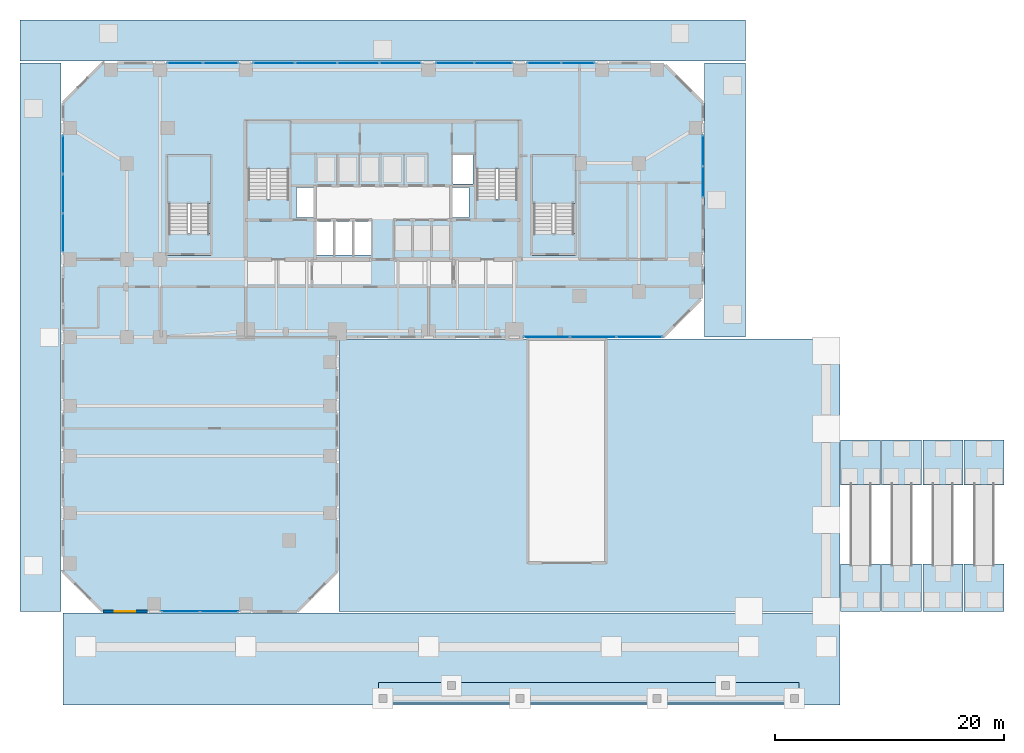
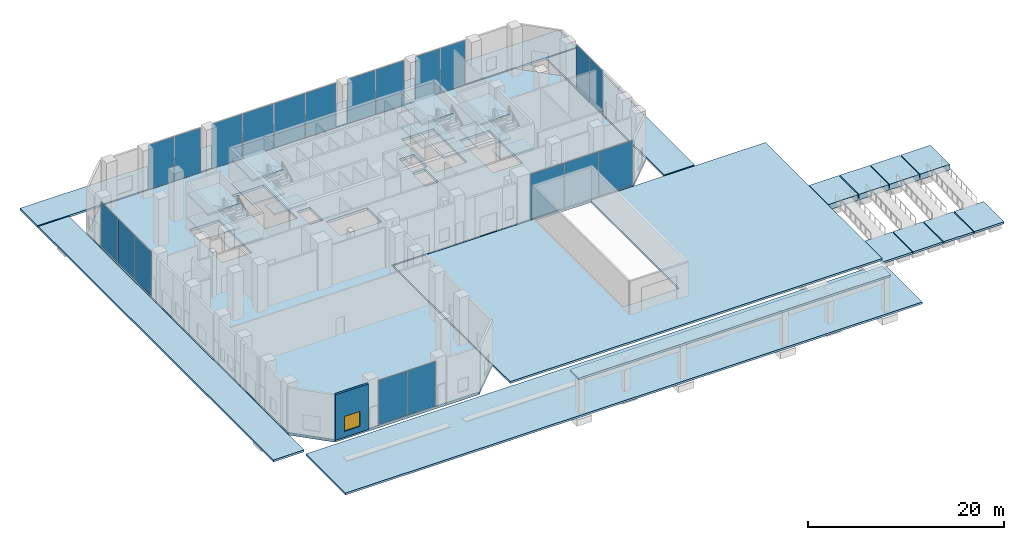
# One storey, part 16 of 26: 27 slabs, 20 plates, 1 wall, 1 window, 1 opening, 12 elements without a shape of their own.
"""IFC4 building model written with IfcOpenShell, lengths in metres."""

from ifc_helpers import new_model, si_unit, direction, frame, frame_2d, origin, origin_2d, place, context, subcontext, project, spatial, polyline, rectangle, outline, extrude, material, layer, layer_set, type_object, element, fill, aggregate, save


model = new_model("IFC4")

# Units and contexts
model_context = context("Model", 3, precision=1e-05, world=origin(), true_north=direction((0.0, 1.0)))
body_context = subcontext(model_context, "Body", "Model", "MODEL_VIEW")
ifc_project = project(units=[si_unit("LENGTHUNIT", "METRE"), si_unit("AREAUNIT", "SQUARE_METRE"), si_unit("VOLUMEUNIT", "CUBIC_METRE"), si_unit("PLANEANGLEUNIT", "RADIAN"), si_unit("MASSUNIT", "GRAM", prefix="KILO")], contexts=[model_context])

# Site, building, storey
site_placement = place(None, origin())
site = spatial("IfcSite", under=ifc_project, at=site_placement, CompositionType="ELEMENT")
building_placement = place(site_placement, origin())
building = spatial("IfcBuilding", under=site, at=building_placement, Name="Catumbela Crestline Tower", CompositionType="ELEMENT")
storey_placement = place(building_placement, origin())
storey = spatial("IfcBuildingStorey", under=building, at=storey_placement, Name="L00", CompositionType="ELEMENT", Elevation=0.0)

# Curtain wall, plates
ifc_material_1 = material(Name="Aluminium alloy AW-6060-T66", Category="aluminium")
ifc_layer_1 = layer(ifc_material_1, 0.18, Name="Aluminium alloy AW-6060-T66")
ifc_layer_set_1 = layer_set([ifc_layer_1], Name="Aluminium alloy AW-6060-T66")
curtain_wall_type = type_object("IfcCurtainWallType", Name="CWS-POD", PredefinedType="USERDEFINED", material=ifc_layer_set_1)
curtain_wall_1_placement = place(storey_placement, origin())
curtain_wall_1 = element("IfcCurtainWall", 1, at=curtain_wall_1_placement, inside=storey, type_object=curtain_wall_type, Name="L00 Stick Curtain Wall CW-L00-E0S2", ObjectType="STICK", PredefinedType="USERDEFINED")
ifc_material_2 = material(Name="Low-E laminated solar-control double glazing", Category="glass")
ifc_layer_2 = layer(ifc_material_2, 0.032, Name="Low-E laminated solar-control double glazing")
ifc_layer_set_2 = layer_set([ifc_layer_2], Name="Low-E laminated solar-control double glazing")
plate_type = type_object("IfcPlateType", Name="PNL-GLZ-PD", PredefinedType="CURTAIN_PANEL", material=ifc_layer_set_2)
plate_1_placement = place(storey_placement, frame((10.3162, 0.0, 0.06), z_axis=(0.0, 0.0, 1.0), x_axis=(1.0, 0.0, 0.0)))
plate_1 = element("IfcPlate", 2, at=plate_1_placement, type_object=plate_type, Name="CWS-POD panel 1.1", PredefinedType="CURTAIN_PANEL", context=body_context, shape_type="SweptSolid", body=[
    extrude(rectangle(XDim=3.3025, YDim=0.034, at=origin_2d()), origin(), (0.0, 0.0, 1.0), 5.55),
])
plate_2_placement = place(storey_placement, frame((13.6838, 0.0, 0.06), z_axis=(0.0, 0.0, 1.0), x_axis=(1.0, 0.0, 0.0)))
plate_2 = element("IfcPlate", 3, at=plate_2_placement, type_object=plate_type, Name="CWS-POD panel 2.1", PredefinedType="CURTAIN_PANEL", context=body_context, shape_type="SweptSolid", body=[
    extrude(rectangle(XDim=3.3025, YDim=0.034, at=origin_2d()), origin(), (0.0, 0.0, 1.0), 5.55),
])
aggregate(curtain_wall_1, [plate_1, plate_2])

curtain_wall_2_placement = place(storey_placement, origin())
curtain_wall_2 = element("IfcCurtainWall", 4, at=curtain_wall_2_placement, inside=storey, type_object=curtain_wall_type, Name="L00 Stick Curtain Wall CW-L00-E3S5", ObjectType="STICK", PredefinedType="USERDEFINED")
plate_3_placement = place(storey_placement, frame((42.3496, 24.0, 0.06), z_axis=(0.0, 0.0, 1.0), x_axis=(1.0, 0.0, 0.0)))
plate_3 = element("IfcPlate", 5, at=plate_3_placement, type_object=plate_type, Name="CWS-POD panel 1.1", PredefinedType="CURTAIN_PANEL", context=body_context, shape_type="SweptSolid", body=[
    extrude(rectangle(XDim=3.9692, YDim=0.034, at=origin_2d()), origin(), (0.0, 0.0, 1.0), 5.55),
])
plate_4_placement = place(storey_placement, frame((46.4, 24.0, 0.06), z_axis=(0.0, 0.0, 1.0), x_axis=(1.0, 0.0, 0.0)))
plate_4 = element("IfcPlate", 6, at=plate_4_placement, type_object=plate_type, Name="CWS-POD panel 2.1", PredefinedType="CURTAIN_PANEL", context=body_context, shape_type="SweptSolid", body=[
    extrude(rectangle(XDim=4.0017, YDim=0.034, at=origin_2d()), origin(), (0.0, 0.0, 1.0), 5.55),
])
plate_5_placement = place(storey_placement, frame((50.4504, 24.0, 0.06), z_axis=(0.0, 0.0, 1.0), x_axis=(1.0, 0.0, 0.0)))
plate_5 = element("IfcPlate", 7, at=plate_5_placement, type_object=plate_type, Name="CWS-POD panel 3.1", PredefinedType="CURTAIN_PANEL", context=body_context, shape_type="SweptSolid", body=[
    extrude(rectangle(XDim=3.9692, YDim=0.034, at=origin_2d()), origin(), (0.0, 0.0, 1.0), 5.55),
])
aggregate(curtain_wall_2, [plate_3, plate_4, plate_5])

curtain_wall_3_placement = place(storey_placement, origin())
curtain_wall_3 = element("IfcCurtainWall", 8, at=curtain_wall_3_placement, inside=storey, type_object=curtain_wall_type, Name="L00 Stick Curtain Wall CW-L00-E5S3", ObjectType="STICK", PredefinedType="USERDEFINED")
plate_6_placement = place(storey_placement, frame((56.0, 37.5912, 0.06), z_axis=(0.0, 0.0, 1.0), x_axis=(0.0, 1.0, 0.0)))
plate_6 = element("IfcPlate", 9, at=plate_6_placement, type_object=plate_type, Name="CWS-POD panel 1.1", PredefinedType="CURTAIN_PANEL", context=body_context, shape_type="SweptSolid", body=[
    extrude(rectangle(XDim=2.6525, YDim=0.034, at=origin_2d()), origin(), (0.0, 0.0, 1.0), 5.55),
])
plate_7_placement = place(storey_placement, frame((56.0, 40.3088, 0.06), z_axis=(0.0, 0.0, 1.0), x_axis=(0.0, 1.0, 0.0)))
plate_7 = element("IfcPlate", 10, at=plate_7_placement, type_object=plate_type, Name="CWS-POD panel 2.1", PredefinedType="CURTAIN_PANEL", context=body_context, shape_type="SweptSolid", body=[
    extrude(rectangle(XDim=2.6525, YDim=0.034, at=origin_2d()), origin(), (0.0, 0.0, 1.0), 5.55),
])
aggregate(curtain_wall_3, [plate_6, plate_7])

curtain_wall_4_placement = place(storey_placement, origin())
curtain_wall_4 = element("IfcCurtainWall", 11, at=curtain_wall_4_placement, inside=storey, type_object=curtain_wall_type, Name="L00 Stick Curtain Wall CW-L00-E7S2", ObjectType="STICK", PredefinedType="USERDEFINED")
plate_8_placement = place(storey_placement, frame((45.0838, 48.0, 0.06), z_axis=(0.0, 0.0, 1.0), x_axis=(-1.0, 0.0, 0.0)))
plate_8 = element("IfcPlate", 12, at=plate_8_placement, type_object=plate_type, Name="CWS-POD panel 1.1", PredefinedType="CURTAIN_PANEL", context=body_context, shape_type="SweptSolid", body=[
    extrude(rectangle(XDim=2.9025, YDim=0.034, at=origin_2d()), origin(), (0.0, 0.0, 1.0), 5.55),
])
plate_9_placement = place(storey_placement, frame((42.1162, 48.0, 0.06), z_axis=(0.0, 0.0, 1.0), x_axis=(-1.0, 0.0, 0.0)))
plate_9 = element("IfcPlate", 13, at=plate_9_placement, type_object=plate_type, Name="CWS-POD panel 2.1", PredefinedType="CURTAIN_PANEL", context=body_context, shape_type="SweptSolid", body=[
    extrude(rectangle(XDim=2.9025, YDim=0.034, at=origin_2d()), origin(), (0.0, 0.0, 1.0), 5.55),
])
aggregate(curtain_wall_4, [plate_8, plate_9])

curtain_wall_5_placement = place(storey_placement, origin())
curtain_wall_5 = element("IfcCurtainWall", 14, at=curtain_wall_5_placement, inside=storey, type_object=curtain_wall_type, Name="L00 Stick Curtain Wall CW-L00-E7S3", ObjectType="STICK", PredefinedType="USERDEFINED")
plate_10_placement = place(storey_placement, frame((37.6838, 48.0, 0.06), z_axis=(0.0, 0.0, 1.0), x_axis=(-1.0, 0.0, 0.0)))
plate_10 = element("IfcPlate", 15, at=plate_10_placement, type_object=plate_type, Name="CWS-POD panel 1.1", PredefinedType="CURTAIN_PANEL", context=body_context, shape_type="SweptSolid", body=[
    extrude(rectangle(XDim=3.3025, YDim=0.034, at=origin_2d()), origin(), (0.0, 0.0, 1.0), 5.55),
])
plate_11_placement = place(storey_placement, frame((34.3162, 48.0, 0.06), z_axis=(0.0, 0.0, 1.0), x_axis=(-1.0, 0.0, 0.0)))
plate_11 = element("IfcPlate", 16, at=plate_11_placement, type_object=plate_type, Name="CWS-POD panel 2.1", PredefinedType="CURTAIN_PANEL", context=body_context, shape_type="SweptSolid", body=[
    extrude(rectangle(XDim=3.3025, YDim=0.034, at=origin_2d()), origin(), (0.0, 0.0, 1.0), 5.55),
])
aggregate(curtain_wall_5, [plate_10, plate_11])

curtain_wall_6_placement = place(storey_placement, origin())
curtain_wall_6 = element("IfcCurtainWall", 17, at=curtain_wall_6_placement, inside=storey, type_object=curtain_wall_type, Name="L00 Stick Curtain Wall CW-L00-E7S4", ObjectType="STICK", PredefinedType="USERDEFINED")
plate_12_placement = place(storey_placement, frame((29.5338, 48.0, 0.06), z_axis=(0.0, 0.0, 1.0), x_axis=(-1.0, 0.0, 0.0)))
plate_12 = element("IfcPlate", 18, at=plate_12_placement, type_object=plate_type, Name="CWS-POD panel 1.1", PredefinedType="CURTAIN_PANEL", context=body_context, shape_type="SweptSolid", body=[
    extrude(rectangle(XDim=3.6025, YDim=0.034, at=origin_2d()), origin(), (0.0, 0.0, 1.0), 5.55),
])
plate_13_placement = place(storey_placement, frame((25.85, 48.0, 0.06), z_axis=(0.0, 0.0, 1.0), x_axis=(-1.0, 0.0, 0.0)))
plate_13 = element("IfcPlate", 19, at=plate_13_placement, type_object=plate_type, Name="CWS-POD panel 2.1", PredefinedType="CURTAIN_PANEL", context=body_context, shape_type="SweptSolid", body=[
    extrude(rectangle(XDim=3.635, YDim=0.034, at=origin_2d()), origin(), (0.0, 0.0, 1.0), 5.55),
])
plate_14_placement = place(storey_placement, frame((22.15, 48.0, 0.06), z_axis=(0.0, 0.0, 1.0), x_axis=(-1.0, 0.0, 0.0)))
plate_14 = element("IfcPlate", 20, at=plate_14_placement, type_object=plate_type, Name="CWS-POD panel 3.1", PredefinedType="CURTAIN_PANEL", context=body_context, shape_type="SweptSolid", body=[
    extrude(rectangle(XDim=3.635, YDim=0.034, at=origin_2d()), origin(), (0.0, 0.0, 1.0), 5.55),
])
plate_15_placement = place(storey_placement, frame((18.4662, 48.0, 0.06), z_axis=(0.0, 0.0, 1.0), x_axis=(-1.0, 0.0, 0.0)))
plate_15 = element("IfcPlate", 21, at=plate_15_placement, type_object=plate_type, Name="CWS-POD panel 4.1", PredefinedType="CURTAIN_PANEL", context=body_context, shape_type="SweptSolid", body=[
    extrude(rectangle(XDim=3.6025, YDim=0.034, at=origin_2d()), origin(), (0.0, 0.0, 1.0), 5.55),
])
aggregate(curtain_wall_6, [plate_12, plate_13, plate_14, plate_15])

curtain_wall_7_placement = place(storey_placement, origin())
curtain_wall_7 = element("IfcCurtainWall", 22, at=curtain_wall_7_placement, inside=storey, type_object=curtain_wall_type, Name="L00 Stick Curtain Wall CW-L00-E7S5", ObjectType="STICK", PredefinedType="USERDEFINED")
plate_16_placement = place(storey_placement, frame((13.8088, 48.0, 0.06), z_axis=(0.0, 0.0, 1.0), x_axis=(-1.0, 0.0, 0.0)))
plate_16 = element("IfcPlate", 23, at=plate_16_placement, type_object=plate_type, Name="CWS-POD panel 1.1", PredefinedType="CURTAIN_PANEL", context=body_context, shape_type="SweptSolid", body=[
    extrude(rectangle(XDim=3.0525, YDim=0.034, at=origin_2d()), origin(), (0.0, 0.0, 1.0), 5.55),
])
plate_17_placement = place(storey_placement, frame((10.6912, 48.0, 0.06), z_axis=(0.0, 0.0, 1.0), x_axis=(-1.0, 0.0, 0.0)))
plate_17 = element("IfcPlate", 24, at=plate_17_placement, type_object=plate_type, Name="CWS-POD panel 2.1", PredefinedType="CURTAIN_PANEL", context=body_context, shape_type="SweptSolid", body=[
    extrude(rectangle(XDim=3.0525, YDim=0.034, at=origin_2d()), origin(), (0.0, 0.0, 1.0), 5.55),
])
aggregate(curtain_wall_7, [plate_16, plate_17])

curtain_wall_8_placement = place(storey_placement, origin())
curtain_wall_8 = element("IfcCurtainWall", 25, at=curtain_wall_8_placement, inside=storey, type_object=curtain_wall_type, Name="L00 Stick Curtain Wall CW-L00-E9S2", ObjectType="STICK", PredefinedType="USERDEFINED")
plate_18_placement = place(storey_placement, frame((0.0, 39.9671, 0.06), z_axis=(0.0, 0.0, 1.0), x_axis=(0.0, -1.0, 0.0)))
plate_18 = element("IfcPlate", 26, at=plate_18_placement, type_object=plate_type, Name="CWS-POD panel 1.1", PredefinedType="CURTAIN_PANEL", context=body_context, shape_type="SweptSolid", body=[
    extrude(rectangle(XDim=3.3358, YDim=0.034, at=origin_2d()), origin(), (0.0, 0.0, 1.0), 5.55),
])
plate_19_placement = place(storey_placement, frame((0.0, 36.55, 0.06), z_axis=(0.0, 0.0, 1.0), x_axis=(0.0, -1.0, 0.0)))
plate_19 = element("IfcPlate", 27, at=plate_19_placement, type_object=plate_type, Name="CWS-POD panel 2.1", PredefinedType="CURTAIN_PANEL", context=body_context, shape_type="SweptSolid", body=[
    extrude(rectangle(XDim=3.3683, YDim=0.034, at=origin_2d()), origin(), (0.0, 0.0, 1.0), 5.55),
])
plate_20_placement = place(storey_placement, frame((0.0, 33.1329, 0.06), z_axis=(0.0, 0.0, 1.0), x_axis=(0.0, -1.0, 0.0)))
plate_20 = element("IfcPlate", 28, at=plate_20_placement, type_object=plate_type, Name="CWS-POD panel 3.1", PredefinedType="CURTAIN_PANEL", context=body_context, shape_type="SweptSolid", body=[
    extrude(rectangle(XDim=3.3358, YDim=0.034, at=origin_2d()), origin(), (0.0, 0.0, 1.0), 5.55),
])
aggregate(curtain_wall_8, [plate_18, plate_19, plate_20])

# Slab
ifc_material_3 = material(Name="Concrete C45/55", Category="concrete")
ifc_layer_3 = layer(ifc_material_3, 0.28, Name="Concrete C45/55")
ifc_layer_set_3 = layer_set([ifc_layer_3], Name="Concrete C45/55")
slab_type_1 = type_object("IfcSlabType", Name="SR-280C", PredefinedType="ROOF", material=ifc_layer_set_3)
slab_1_placement = place(storey_placement, frame((0.0, 0.0, 3.8)))
element("IfcSlab", 29, at=slab_1_placement, inside=storey, type_object=slab_type_1, Name="L00 Waterfront Arrival Canopy Roof Slab", PredefinedType="ROOF", context=body_context, shape_type="SweptSolid", body=[
    extrude(outline(polyline([(27.6, -8.0), (64.4, -8.0), (64.4, -6.2), (27.6, -6.2), (27.6, -8.0)])), origin(), (0.0, 0.0, 1.0), 0.28),
])

# Stair, slabs
stair_type = type_object("IfcStairType", Name="ST-DLG", PredefinedType="HALF_TURN_STAIR", material=ifc_material_3)
stair_1_placement = place(storey_placement, origin())
stair_1 = element("IfcStair", 30, at=stair_1_placement, inside=storey, type_object=stair_type, Name="L00 West Core Pressurised Exit Stair ST-01", PredefinedType="HALF_TURN_STAIR")
ifc_layer_4 = layer(ifc_material_3, 0.2, Name="Concrete C45/55")
ifc_layer_set_4 = layer_set([ifc_layer_4], Name="Concrete C45/55")
slab_type_2 = type_object("IfcSlabType", Name="SL-LND", PredefinedType="LANDING", material=ifc_layer_set_4)
slab_2_placement = place(storey_placement, frame((0.0, 0.0, 1.3)))
slab_2 = element("IfcSlab", 31, at=slab_2_placement, type_object=slab_type_2, Name="ST-01 landing 1", PredefinedType="LANDING", context=body_context, shape_type="SweptSolid", body=[
    extrude(outline(polyline([(19.91, 38.71), (19.91, 42.96), (16.09, 42.96), (16.09, 38.71), (19.91, 38.71)])), origin(), (0.0, 0.0, 1.0), 0.2),
])
slab_3_placement = place(storey_placement, frame((0.0, 0.0, 2.8)))
slab_3 = element("IfcSlab", 32, at=slab_3_placement, type_object=slab_type_2, Name="ST-01 landing 2", PredefinedType="LANDING", context=body_context, shape_type="SweptSolid", body=[
    extrude(outline(polyline([(19.91, 34.16), (19.91, 36.08), (16.09, 36.08), (16.09, 34.16), (19.91, 34.16)])), origin(), (0.0, 0.0, 1.0), 0.2),
])
slab_4_placement = place(storey_placement, frame((0.0, 0.0, 4.3)))
slab_4 = element("IfcSlab", 33, at=slab_4_placement, type_object=slab_type_2, Name="ST-01 landing 3", PredefinedType="LANDING", context=body_context, shape_type="SweptSolid", body=[
    extrude(outline(polyline([(19.91, 38.71), (19.91, 42.96), (16.09, 42.96), (16.09, 38.71), (19.91, 38.71)])), origin(), (0.0, 0.0, 1.0), 0.2),
])
aggregate(stair_1, [slab_2, slab_3, slab_4])

stair_2_placement = place(storey_placement, origin())
stair_2 = element("IfcStair", 34, at=stair_2_placement, inside=storey, type_object=stair_type, Name="L00 East Core Pressurised Exit Stair ST-02", PredefinedType="HALF_TURN_STAIR")
slab_5_placement = place(storey_placement, frame((0.0, 0.0, 1.3)))
slab_5 = element("IfcSlab", 35, at=slab_5_placement, type_object=slab_type_2, Name="ST-02 landing 1", PredefinedType="LANDING", context=body_context, shape_type="SweptSolid", body=[
    extrude(outline(polyline([(39.91, 38.71), (39.91, 42.96), (36.09, 42.96), (36.09, 38.71), (39.91, 38.71)])), origin(), (0.0, 0.0, 1.0), 0.2),
])
slab_6_placement = place(storey_placement, frame((0.0, 0.0, 2.8)))
slab_6 = element("IfcSlab", 36, at=slab_6_placement, type_object=slab_type_2, Name="ST-02 landing 2", PredefinedType="LANDING", context=body_context, shape_type="SweptSolid", body=[
    extrude(outline(polyline([(39.91, 34.16), (39.91, 36.08), (36.09, 36.08), (36.09, 34.16), (39.91, 34.16)])), origin(), (0.0, 0.0, 1.0), 0.2),
])
slab_7_placement = place(storey_placement, frame((0.0, 0.0, 4.3)))
slab_7 = element("IfcSlab", 37, at=slab_7_placement, type_object=slab_type_2, Name="ST-02 landing 3", PredefinedType="LANDING", context=body_context, shape_type="SweptSolid", body=[
    extrude(outline(polyline([(39.91, 38.71), (39.91, 42.96), (36.09, 42.96), (36.09, 38.71), (39.91, 38.71)])), origin(), (0.0, 0.0, 1.0), 0.2),
])
aggregate(stair_2, [slab_5, slab_6, slab_7])

stair_3_placement = place(storey_placement, origin())
stair_3 = element("IfcStair", 38, at=stair_3_placement, inside=storey, type_object=stair_type, Name="L00 South-West Podium Exit Stair ST-03", PredefinedType="HALF_TURN_STAIR")
slab_8_placement = place(storey_placement, frame((0.0, 0.0, 1.3)))
slab_8 = element("IfcSlab", 39, at=slab_8_placement, type_object=slab_type_2, Name="ST-03 landing 1", PredefinedType="LANDING", context=body_context, shape_type="SweptSolid", body=[
    extrude(outline(polyline([(12.96, 35.71), (12.96, 39.96), (9.14, 39.96), (9.14, 35.71), (12.96, 35.71)])), origin(), (0.0, 0.0, 1.0), 0.2),
])
slab_9_placement = place(storey_placement, frame((0.0, 0.0, 2.8)))
slab_9 = element("IfcSlab", 40, at=slab_9_placement, type_object=slab_type_2, Name="ST-03 landing 2", PredefinedType="LANDING", context=body_context, shape_type="SweptSolid", body=[
    extrude(outline(polyline([(12.96, 31.16), (12.96, 33.08), (9.14, 33.08), (9.14, 31.16), (12.96, 31.16)])), origin(), (0.0, 0.0, 1.0), 0.2),
])
slab_10_placement = place(storey_placement, frame((0.0, 0.0, 4.3)))
slab_10 = element("IfcSlab", 41, at=slab_10_placement, type_object=slab_type_2, Name="ST-03 landing 3", PredefinedType="LANDING", context=body_context, shape_type="SweptSolid", body=[
    extrude(outline(polyline([(12.96, 35.71), (12.96, 39.96), (9.14, 39.96), (9.14, 35.71), (12.96, 35.71)])), origin(), (0.0, 0.0, 1.0), 0.2),
])
aggregate(stair_3, [slab_8, slab_9, slab_10])

stair_4_placement = place(storey_placement, origin())
stair_4 = element("IfcStair", 42, at=stair_4_placement, inside=storey, type_object=stair_type, Name="L00 East Galleria Podium Exit Stair ST-04", PredefinedType="HALF_TURN_STAIR")
slab_11_placement = place(storey_placement, frame((0.0, 0.0, 1.3)))
slab_11 = element("IfcSlab", 43, at=slab_11_placement, type_object=slab_type_2, Name="ST-04 landing 1", PredefinedType="LANDING", context=body_context, shape_type="SweptSolid", body=[
    extrude(outline(polyline([(44.86, 35.71), (44.86, 39.96), (41.04, 39.96), (41.04, 35.71), (44.86, 35.71)])), origin(), (0.0, 0.0, 1.0), 0.2),
])
slab_12_placement = place(storey_placement, frame((0.0, 0.0, 2.8)))
slab_12 = element("IfcSlab", 44, at=slab_12_placement, type_object=slab_type_2, Name="ST-04 landing 2", PredefinedType="LANDING", context=body_context, shape_type="SweptSolid", body=[
    extrude(outline(polyline([(44.86, 31.16), (44.86, 33.08), (41.04, 33.08), (41.04, 31.16), (44.86, 31.16)])), origin(), (0.0, 0.0, 1.0), 0.2),
])
slab_13_placement = place(storey_placement, frame((0.0, 0.0, 4.3)))
slab_13 = element("IfcSlab", 45, at=slab_13_placement, type_object=slab_type_2, Name="ST-04 landing 3", PredefinedType="LANDING", context=body_context, shape_type="SweptSolid", body=[
    extrude(outline(polyline([(44.86, 35.71), (44.86, 39.96), (41.04, 39.96), (41.04, 35.71), (44.86, 35.71)])), origin(), (0.0, 0.0, 1.0), 0.2),
])
aggregate(stair_4, [slab_11, slab_12, slab_13])

# Slabs
ifc_layer_5 = layer(ifc_material_3, 0.25, Name="Concrete C45/55")
ifc_layer_set_5 = layer_set([ifc_layer_5], Name="Concrete C45/55")
slab_type_3 = type_object("IfcSlabType", Name="SL-LNDE", PredefinedType="LANDING", material=ifc_layer_set_5)
slab_14_placement = place(storey_placement, frame((0.0, 0.0, -0.7)))
element("IfcSlab", 46, at=slab_14_placement, inside=storey, type_object=slab_type_3, Name="L00 Plaza Ramp 01 Lower Arrival Pad", PredefinedType="LANDING", context=body_context, shape_type="SweptSolid", body=[
    extrude(outline(polyline([(68.05, 0.0), (71.55, 0.0), (71.55, 4.15), (68.05, 4.15), (68.05, 0.0)])), origin(), (0.0, 0.0, 1.0), 0.25),
])
slab_15_placement = place(storey_placement, frame((0.0, 0.0, -0.7)))
element("IfcSlab", 47, at=slab_15_placement, inside=storey, type_object=slab_type_3, Name="L00 Plaza Ramp 01 Upper Arrival Landing", PredefinedType="LANDING", context=body_context, shape_type="SweptSolid", body=[
    extrude(outline(polyline([(68.05, 11.05), (71.55, 11.05), (71.55, 15.0), (68.05, 15.0), (68.05, 11.05)])), origin(), (0.0, 0.0, 1.0), 0.7),
])
slab_16_placement = place(storey_placement, frame((0.0, 0.0, -0.7)))
element("IfcSlab", 48, at=slab_16_placement, inside=storey, type_object=slab_type_3, Name="L00 Plaza Ramp 02 Lower Arrival Pad", PredefinedType="LANDING", context=body_context, shape_type="SweptSolid", body=[
    extrude(outline(polyline([(71.65, 0.0), (75.15, 0.0), (75.15, 4.15), (71.65, 4.15), (71.65, 0.0)])), origin(), (0.0, 0.0, 1.0), 0.25),
])
slab_17_placement = place(storey_placement, frame((0.0, 0.0, -0.7)))
element("IfcSlab", 49, at=slab_17_placement, inside=storey, type_object=slab_type_3, Name="L00 Plaza Ramp 02 Upper Arrival Landing", PredefinedType="LANDING", context=body_context, shape_type="SweptSolid", body=[
    extrude(outline(polyline([(71.65, 11.05), (75.15, 11.05), (75.15, 15.0), (71.65, 15.0), (71.65, 11.05)])), origin(), (0.0, 0.0, 1.0), 0.7),
])
slab_18_placement = place(storey_placement, frame((0.0, 0.0, -0.7)))
element("IfcSlab", 50, at=slab_18_placement, inside=storey, type_object=slab_type_3, Name="L00 Plaza Ramp 03 Lower Arrival Pad", PredefinedType="LANDING", context=body_context, shape_type="SweptSolid", body=[
    extrude(outline(polyline([(75.25, 0.0), (78.75, 0.0), (78.75, 4.15), (75.25, 4.15), (75.25, 0.0)])), origin(), (0.0, 0.0, 1.0), 0.25),
])
slab_19_placement = place(storey_placement, frame((0.0, 0.0, -0.7)))
element("IfcSlab", 51, at=slab_19_placement, inside=storey, type_object=slab_type_3, Name="L00 Plaza Ramp 03 Upper Arrival Landing", PredefinedType="LANDING", context=body_context, shape_type="SweptSolid", body=[
    extrude(outline(polyline([(75.25, 11.05), (78.75, 11.05), (78.75, 15.0), (75.25, 15.0), (75.25, 11.05)])), origin(), (0.0, 0.0, 1.0), 0.7),
])
slab_20_placement = place(storey_placement, frame((0.0, 0.0, -0.7)))
element("IfcSlab", 52, at=slab_20_placement, inside=storey, type_object=slab_type_3, Name="L00 Plaza Ramp 04 Lower Arrival Pad", PredefinedType="LANDING", context=body_context, shape_type="SweptSolid", body=[
    extrude(outline(polyline([(78.85, 0.0), (82.35, 0.0), (82.35, 4.15), (78.85, 4.15), (78.85, 0.0)])), origin(), (0.0, 0.0, 1.0), 0.25),
])
slab_21_placement = place(storey_placement, frame((0.0, 0.0, -0.7)))
element("IfcSlab", 53, at=slab_21_placement, inside=storey, type_object=slab_type_3, Name="L00 Plaza Ramp 04 Upper Arrival Landing", PredefinedType="LANDING", context=body_context, shape_type="SweptSolid", body=[
    extrude(outline(polyline([(78.85, 11.05), (82.35, 11.05), (82.35, 15.0), (78.85, 15.0), (78.85, 11.05)])), origin(), (0.0, 0.0, 1.0), 0.7),
])
ifc_material_4 = material(Name="Concrete C40/50", Category="concrete")
ifc_layer_6 = layer(ifc_material_4, 0.25, Name="Concrete C40/50")
ifc_layer_set_6 = layer_set([ifc_layer_6], Name="Concrete C40/50")
slab_type_4 = type_object("IfcSlabType", Name="SP-250", PredefinedType="USERDEFINED", material=ifc_layer_set_6)
slab_22_placement = place(storey_placement, frame((0.0, 0.0, -0.25)))
element("IfcSlab", 54, at=slab_22_placement, inside=storey, type_object=slab_type_4, Name="L00 Marginal Waterfront Public Forecourt Plaza", ObjectType="PAVING", PredefinedType="USERDEFINED", context=body_context, shape_type="SweptSolid", body=[
    extrude(outline(polyline([(24.15, 0.0), (68.0, 0.0), (68.0, 23.85), (24.15, 23.85), (24.15, 0.0)]), holes=[polyline([(40.8, 5.78), (47.4, 5.78), (47.4, 23.82), (40.8, 23.82), (40.8, 5.78)])]), origin(), (0.0, 0.0, 1.0), 0.25),
])
slab_23_placement = place(storey_placement, frame((0.0, 0.0, -0.7)))
element("IfcSlab", 55, at=slab_23_placement, inside=storey, type_object=slab_type_4, Name="L00 Avenida Promenade Apron Slab", ObjectType="PAVING", PredefinedType="USERDEFINED", context=body_context, shape_type="SweptSolid", body=[
    extrude(outline(polyline([(0.0, -8.2), (68.0, -8.2), (68.0, -0.15), (0.0, -0.15), (0.0, -8.2)])), origin(), (0.0, 0.0, 1.0), 0.25),
])
slab_24_placement = place(storey_placement, frame((0.0, 0.0, -0.25)))
element("IfcSlab", 56, at=slab_24_placement, inside=storey, type_object=slab_type_4, Name="L00 Granite Perimeter Sidewalk PLAZA-L00-SIDEWALK-W", ObjectType="PAVING", PredefinedType="USERDEFINED", context=body_context, shape_type="SweptSolid", body=[
    extrude(outline(polyline([(-3.75, 0.0), (-0.15, 0.0), (-0.15, 48.0), (-3.75, 48.0), (-3.75, 0.0)])), origin(), (0.0, 0.0, 1.0), 0.25),
])
slab_25_placement = place(storey_placement, frame((0.0, 0.0, -0.25)))
element("IfcSlab", 57, at=slab_25_placement, inside=storey, type_object=slab_type_4, Name="L00 Granite Perimeter Sidewalk PLAZA-L00-SIDEWALK-N", ObjectType="PAVING", PredefinedType="USERDEFINED", context=body_context, shape_type="SweptSolid", body=[
    extrude(outline(polyline([(-3.75, 48.15), (59.75, 48.15), (59.75, 51.75), (-3.75, 51.75), (-3.75, 48.15)])), origin(), (0.0, 0.0, 1.0), 0.25),
])
slab_26_placement = place(storey_placement, frame((0.0, 0.0, -0.25)))
element("IfcSlab", 58, at=slab_26_placement, inside=storey, type_object=slab_type_4, Name="L00 Granite Perimeter Sidewalk PLAZA-L00-SIDEWALK-E", ObjectType="PAVING", PredefinedType="USERDEFINED", context=body_context, shape_type="SweptSolid", body=[
    extrude(outline(polyline([(56.15, 24.0), (59.75, 24.0), (59.75, 48.0), (56.15, 48.0), (56.15, 24.0)])), origin(), (0.0, 0.0, 1.0), 0.25),
])
ifc_material_5 = material(Name="Concrete C50/60", Category="concrete")
ifc_layer_7 = layer(ifc_material_5, 0.32, Name="Concrete C50/60")
ifc_layer_set_7 = layer_set([ifc_layer_7], Name="Concrete C50/60")
slab_type_5 = type_object("IfcSlabType", Name="SL-320P", PredefinedType="FLOOR", material=ifc_layer_set_7)
slab_27_placement = place(storey_placement, frame((0.0, 0.0, -0.32)))
element("IfcSlab", 59, at=slab_27_placement, inside=storey, type_object=slab_type_5, Name="L00 Structural Floor Slab", PredefinedType="FLOOR", context=body_context, shape_type="SweptSolid", body=[
    extrude(outline(polyline([(3.5, 0.0), (20.5, 0.0), (24.0, 3.5), (24.0, 24.0), (52.5, 24.0), (56.0, 27.5), (56.0, 44.5), (52.5, 48.0), (3.5, 48.0), (0.0, 44.5), (0.0, 3.5), (3.5, 0.0)]), holes=[polyline([(16.13, 36.08), (19.87, 36.08), (19.87, 42.92), (16.13, 42.92), (16.13, 36.08)]), polyline([(36.13, 36.08), (39.87, 36.08), (39.87, 42.92), (36.13, 42.92), (36.13, 36.08)]), polyline([(12.8, 33.08), (12.8, 39.8), (9.3, 39.8), (9.3, 33.08), (12.8, 33.08)]), polyline([(44.7, 33.08), (44.7, 39.8), (41.2, 39.8), (41.2, 33.08), (44.7, 33.08)]), polyline([(22.15, 31.2), (27.0, 31.2), (27.0, 34.1), (22.15, 34.1), (22.15, 31.2)]), polyline([(20.45, 34.45), (21.95, 34.45), (21.95, 37.1), (20.45, 37.1), (20.45, 34.45)]), polyline([(34.05, 34.45), (35.55, 34.45), (35.55, 37.1), (34.05, 37.1), (34.05, 34.45)]), polyline([(34.15, 37.4), (35.9, 37.4), (35.9, 39.95), (34.15, 39.95), (34.15, 37.4)])]), origin(), (0.0, 0.0, 1.0), 0.32),
])

# Wall, opening, window
ifc_material_6 = material(Name="Angolan grey-ochre granite", Category="masonry")
ifc_layer_8 = layer(ifc_material_6, 0.25, Name="Angolan grey-ochre granite")
ifc_layer_set_8 = layer_set([ifc_layer_8], Name="Angolan grey-ochre granite")
wall_type = type_object("IfcWallType", Name="WE-250", PredefinedType="STANDARD", material=ifc_layer_set_8)
wall_placement = place(storey_placement, frame((3.5, 0.0, 0.0), z_axis=(0.0, 0.0, 1.0), x_axis=(1.0, 0.0, 0.0)))
wall = element("IfcWall", 60, at=wall_placement, inside=storey, type_object=wall_type, Name="L00 Granite Punched Window Wall 0-1", PredefinedType="STANDARD", context=body_context, shape_type="SweptSolid", body=[
    extrude(rectangle(XDim=3.9, YDim=0.25, at=frame_2d((1.95, 0.0))), origin(), (0.0, 0.0, 1.0), 5.67),
])
opening_placement = place(wall_placement, frame((1.05, 0.0, 0.75)))
opening = element("IfcOpeningElement", 61, at=opening_placement, cuts=wall, Name="Opening WN-01", PredefinedType="OPENING", context=body_context, shape_type="SweptSolid", body=[
    extrude(rectangle(XDim=1.8, YDim=1.85, at=frame_2d((0.9, 0.925))), frame((0.0, 0.135, 0.0), z_axis=(0.0, -1.0, 0.0), x_axis=(1.0, 0.0, 0.0)), (0.0, 0.0, 1.0), 0.27),
])
window_type = type_object("IfcWindowType", Name="WF-1800", PartitioningType="SINGLE_PANEL", PredefinedType="WINDOW", material=ifc_material_2)
window_placement = place(opening_placement, origin())
window = element("IfcWindow", 62, at=window_placement, inside=storey, type_object=window_type, Name="L00 Facade Vision Window 1", OverallHeight=1.85, OverallWidth=1.8, PartitioningType="SINGLE_PANEL", PredefinedType="WINDOW", context=body_context, shape_type="SweptSolid", body=[
    extrude(rectangle(XDim=1.8, YDim=1.85, at=frame_2d((0.9, 0.925))), frame((0.0, 0.03, 0.0), z_axis=(0.0, -1.0, 0.0), x_axis=(1.0, 0.0, 0.0)), (0.0, 0.0, 1.0), 0.06),
])
fill(opening, window)

save(model, "model.ifc")
